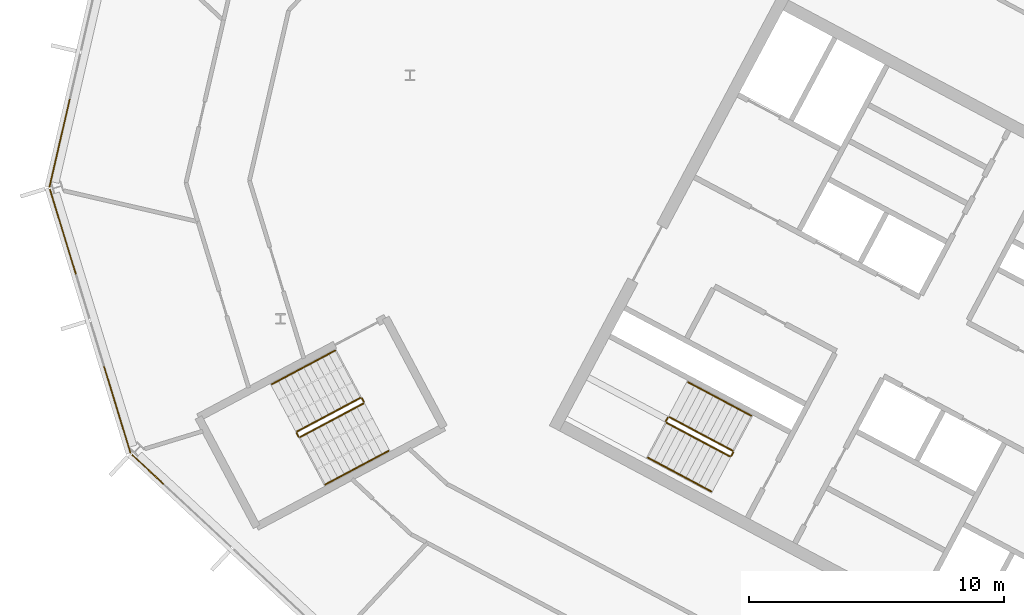
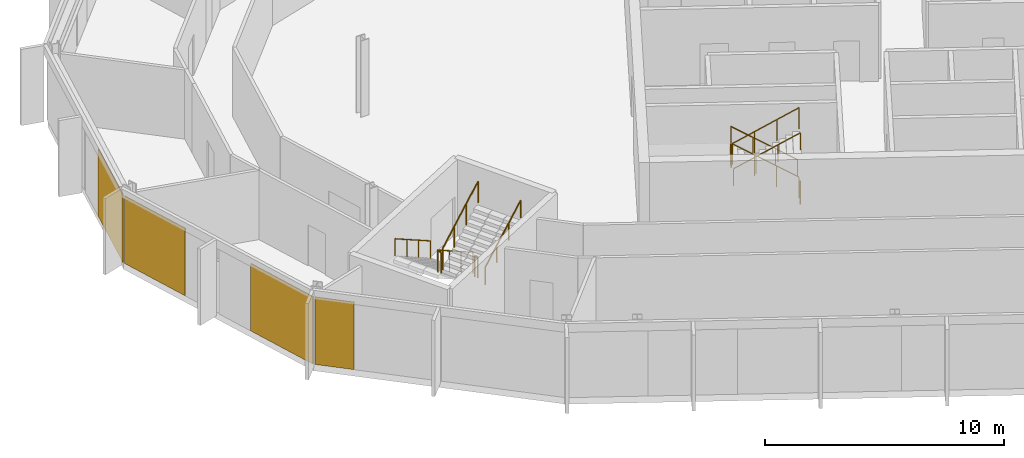
# One storey, part 21 of 26: 12 railings, 4 coverings, 3 elements without a shape of their own.
"""IFC4 building model written with IfcOpenShell, lengths in metres."""

from ifc_helpers import new_model, si_unit, direction, frame, origin, origin_2d, place, context, subcontext, project, spatial, polyline, rectangle, outline, extrude, material, layer, layer_set, type_object, element, aggregate, save


model = new_model("IFC4")

# Units and contexts
model_context = context("Model", 3, precision=1e-05, world=origin(), true_north=direction((0.0, 1.0)))
body_context = subcontext(model_context, "Body", "Model", "MODEL_VIEW")
ifc_project = project(units=[si_unit("LENGTHUNIT", "METRE"), si_unit("AREAUNIT", "SQUARE_METRE"), si_unit("VOLUMEUNIT", "CUBIC_METRE"), si_unit("PLANEANGLEUNIT", "RADIAN"), si_unit("MASSUNIT", "GRAM", prefix="KILO")], contexts=[model_context])

# Site, building, storey
site_placement = place(None, origin())
site = spatial("IfcSite", under=ifc_project, at=site_placement, CompositionType="ELEMENT")
building_placement = place(site_placement, origin())
building = spatial("IfcBuilding", under=site, at=building_placement, Name="Cormorant Relay Tower", CompositionType="ELEMENT")
storey_placement = place(building_placement, frame((0.0, 0.0, 312.60009765625)))
storey = spatial("IfcBuildingStorey", under=building, at=storey_placement, Name="L71", CompositionType="ELEMENT", Elevation=312.60009765625)

# Curtain wall, covering
ifc_material_1 = material(Name="Aluminium 6063-T6 anodised bronze", Category="aluminium")
ifc_layer_1 = layer(ifc_material_1, 0.199951171875)
ifc_layer_set_1 = layer_set([ifc_layer_1], Name="CW1 unitised bronze curtain wall with vertical fins")
curtain_wall_type = type_object("IfcCurtainWallType", Name="CW1 unitised bronze curtain wall with vertical fins", PredefinedType="NOTDEFINED", material=ifc_layer_set_1)
curtain_wall_1_placement = place(storey_placement, origin())
curtain_wall_1 = element("IfcCurtainWall", 1, at=curtain_wall_1_placement, inside=storey, type_object=curtain_wall_type, Name="CW1 curtain wall 13", PredefinedType="NOTDEFINED")
ifc_material_2 = material(Name="Pale bronze anodised aluminium insulated panel", Category="aluminium")
ifc_layer_2 = layer(ifc_material_2, 0.0400390625)
ifc_layer_set_2 = layer_set([ifc_layer_2], Name="CW1 pale bronze insulated panel 40")
covering_type = type_object("IfcCoveringType", Name="CW1 pale bronze insulated panel 40", PredefinedType="CLADDING", material=ifc_layer_set_2)
covering_1_placement = place(storey_placement, frame((-60.3388671875, 22.13232421875, 0.0), z_axis=(0.0, 0.0, 1.0), x_axis=(-0.224951054344, -0.974370064785, 0.0)))
covering_1 = element("IfcCovering", 2, at=covering_1_placement, type_object=covering_type, Name="CW1 panel S02", PredefinedType="CLADDING", context=body_context, shape_type="SweptSolid", body=[
    extrude(rectangle(XDim=3.560302734375, YDim=0.0400390625, at=origin_2d()), origin(), (0.0, 0.0, 1.0), 3.449951171875),
])
aggregate(curtain_wall_1, [covering_1])

# Curtain wall, coverings
curtain_wall_2_placement = place(storey_placement, origin())
curtain_wall_2 = element("IfcCurtainWall", 3, at=curtain_wall_2_placement, inside=storey, type_object=curtain_wall_type, Name="CW1 curtain wall 14", PredefinedType="NOTDEFINED")
covering_2_placement = place(storey_placement, frame((-60.20751953125, 18.6494140625, 0.0), z_axis=(0.0, 0.0, 1.0), x_axis=(0.292371704723, -0.956304755963, 0.0)))
covering_2 = element("IfcCovering", 4, at=covering_2_placement, type_object=covering_type, Name="CW1 panel S00", PredefinedType="CLADDING", context=body_context, shape_type="SweptSolid", body=[
    extrude(rectangle(XDim=3.485107421875, YDim=0.0400390625, at=origin_2d()), origin(), (0.0, 0.0, 1.0), 3.449951171875),
])
covering_3_placement = place(storey_placement, frame((-58.081298828125, 11.6943359375, 0.0), z_axis=(0.0, 0.0, 1.0), x_axis=(0.292371704723, -0.956304755963, 0.0)))
covering_3 = element("IfcCovering", 5, at=covering_3_placement, type_object=covering_type, Name="CW1 panel S03", PredefinedType="CLADDING", context=body_context, shape_type="SweptSolid", body=[
    extrude(rectangle(XDim=3.560302734375, YDim=0.0400390625, at=origin_2d()), origin(), (0.0, 0.0, 1.0), 3.449951171875),
])
aggregate(curtain_wall_2, [covering_2, covering_3])

# Curtain wall, covering
curtain_wall_3_placement = place(storey_placement, origin())
curtain_wall_3 = element("IfcCurtainWall", 6, at=curtain_wall_3_placement, inside=storey, type_object=curtain_wall_type, Name="CW1 curtain wall 15", PredefinedType="NOTDEFINED")
covering_4_placement = place(storey_placement, frame((-56.88427734375, 9.357421875, 0.0), z_axis=(0.0, 0.0, 1.0), x_axis=(0.731353701619, -0.681998360062, 0.0)))
covering_4 = element("IfcCovering", 7, at=covering_4_placement, type_object=covering_type, Name="CW1 panel S00", PredefinedType="CLADDING", context=body_context, shape_type="SweptSolid", body=[
    extrude(rectangle(XDim=1.685302734375, YDim=0.0400390625, at=origin_2d()), origin(), (0.0, 0.0, 1.0), 3.449951171875),
])
aggregate(curtain_wall_3, [covering_4])

# Railings
ifc_material_3 = material(Name="Steel ASTM A572 Grade 50 (Fy 345 MPa)", Category="steel")
railing_type_1 = type_object("IfcRailingType", Name="Stair guard 1100", PredefinedType="GUARDRAIL", material=ifc_material_3)
railing_1_placement = place(storey_placement, frame((-33.9921875, 10.08935546875, 0.17724609375)))
element("IfcRailing", 8, at=railing_1_placement, inside=storey, type_object=railing_type_1, Name="L71 A2 stair guard 1", PredefinedType="GUARDRAIL", context=body_context, shape_type="SweptSolid", body=[
    extrude(outline(polyline([(0.022216796875, 0.00927734375), (0.00927734375, 0.022216796875), (-0.00927734375, 0.022216796875), (-0.022216796875, 0.00927734375), (-0.022216796875, -0.00927734375), (-0.00927734375, -0.022216796875), (0.00927734375, -0.022216796875), (0.022216796875, -0.00927734375), (0.022216796875, 0.00927734375)])), frame((0.0, 0.0, 1.076171875), z_axis=(-0.746001213114, 0.396649272309, 0.534931345884), x_axis=(-0.469465464807, -0.882950835185, 0.0)), (0.0, 0.0, 1.0), 3.31396484375),
    extrude(outline(polyline([(0.019287109375, 0.008056640625), (0.008056640625, 0.019287109375), (-0.008056640625, 0.019287109375), (-0.019287109375, 0.008056640625), (-0.019287109375, -0.008056640625), (-0.008056640625, -0.019287109375), (0.008056640625, -0.019287109375), (0.019287109375, -0.008056640625), (0.019287109375, 0.008056640625)])), origin(), (0.0, 0.0, 1.0), 1.052001953125),
    extrude(outline(polyline([(0.019287109375, 0.008056640625), (0.008056640625, 0.019287109375), (-0.008056640625, 0.019287109375), (-0.019287109375, 0.008056640625), (-0.019287109375, -0.008056640625), (-0.008056640625, -0.019287109375), (0.008056640625, -0.019287109375), (0.019287109375, -0.008056640625), (0.019287109375, 0.008056640625)])), frame((-0.823974609375, 0.438232421875, 0.5908203125)), (0.0, 0.0, 1.0), 1.052001953125),
    extrude(outline(polyline([(0.019287109375, 0.008056640625), (0.008056640625, 0.019287109375), (-0.008056640625, 0.019287109375), (-0.019287109375, 0.008056640625), (-0.019287109375, -0.008056640625), (-0.008056640625, -0.019287109375), (0.008056640625, -0.019287109375), (0.019287109375, -0.008056640625), (0.019287109375, 0.008056640625)])), frame((-1.648193359375, 0.876220703125, 1.181884765625)), (0.0, 0.0, 1.0), 1.052001953125),
    extrude(outline(polyline([(0.019287109375, 0.008056640625), (0.008056640625, 0.019287109375), (-0.008056640625, 0.019287109375), (-0.019287109375, 0.008056640625), (-0.019287109375, -0.008056640625), (-0.008056640625, -0.019287109375), (0.008056640625, -0.019287109375), (0.019287109375, -0.008056640625), (0.019287109375, 0.008056640625)])), frame((-2.47216796875, 1.314453125, 1.772705078125)), (0.0, 0.0, 1.0), 1.052001953125),
])
railing_2_placement = place(storey_placement, frame((-36.531982421875, 11.38330078125, 1.949951171875)))
element("IfcRailing", 9, at=railing_2_placement, inside=storey, type_object=railing_type_1, Name="L71 A2 stair guard 2", PredefinedType="GUARDRAIL", context=body_context, shape_type="SweptSolid", body=[
    extrude(outline(polyline([(0.022216796875, 0.00927734375), (0.00927734375, 0.022216796875), (-0.00927734375, 0.022216796875), (-0.022216796875, 0.00927734375), (-0.022216796875, -0.00927734375), (-0.00927734375, -0.022216796875), (0.00927734375, -0.022216796875), (0.022216796875, -0.00927734375), (0.022216796875, 0.00927734375)])), frame((0.0, 0.0, 1.076171875), z_axis=(-0.469828648786, -0.882757634224, 0.0), x_axis=(0.882757634224, -0.469828648786, 0.0)), (0.0, 0.0, 1.0), 0.150146484375),
    extrude(outline(polyline([(0.019287109375, 0.008056640625), (0.008056640625, 0.019287109375), (-0.008056640625, 0.019287109375), (-0.019287109375, 0.008056640625), (-0.019287109375, -0.008056640625), (-0.008056640625, -0.019287109375), (0.008056640625, -0.019287109375), (0.019287109375, -0.008056640625), (0.019287109375, 0.008056640625)])), origin(), (0.0, 0.0, 1.0), 1.052001953125),
    extrude(outline(polyline([(0.019287109375, 0.008056640625), (0.008056640625, 0.019287109375), (-0.008056640625, 0.019287109375), (-0.019287109375, 0.008056640625), (-0.019287109375, -0.008056640625), (-0.008056640625, -0.019287109375), (0.008056640625, -0.019287109375), (0.019287109375, -0.008056640625), (0.019287109375, 0.008056640625)])), frame((-0.070556640625, -0.132568359375, 0.0)), (0.0, 0.0, 1.0), 1.052001953125),
])
railing_3_placement = place(storey_placement, frame((-36.581787109375, 11.18310546875, 2.127197265625)))
element("IfcRailing", 10, at=railing_3_placement, inside=storey, type_object=railing_type_1, Name="L71 A2 stair guard 3", PredefinedType="GUARDRAIL", context=body_context, shape_type="SweptSolid", body=[
    extrude(outline(polyline([(0.022216796875, 0.00927734375), (0.00927734375, 0.022216796875), (-0.00927734375, 0.022216796875), (-0.022216796875, 0.00927734375), (-0.022216796875, -0.00927734375), (-0.00927734375, -0.022216796875), (0.00927734375, -0.022216796875), (0.022216796875, -0.00927734375), (0.022216796875, 0.00927734375)])), frame((0.0, 0.0, 1.076171875), z_axis=(0.746001213114, -0.396649272309, 0.534931345884), x_axis=(0.469465464807, 0.882950835185, 0.0)), (0.0, 0.0, 1.0), 3.31396484375),
    extrude(outline(polyline([(0.019287109375, 0.008056640625), (0.008056640625, 0.019287109375), (-0.008056640625, 0.019287109375), (-0.019287109375, 0.008056640625), (-0.019287109375, -0.008056640625), (-0.008056640625, -0.019287109375), (0.008056640625, -0.019287109375), (0.019287109375, -0.008056640625), (0.019287109375, 0.008056640625)])), origin(), (0.0, 0.0, 1.0), 1.052001953125),
    extrude(outline(polyline([(0.019287109375, 0.008056640625), (0.008056640625, 0.019287109375), (-0.008056640625, 0.019287109375), (-0.019287109375, 0.008056640625), (-0.019287109375, -0.008056640625), (-0.008056640625, -0.019287109375), (0.008056640625, -0.019287109375), (0.019287109375, -0.008056640625), (0.019287109375, 0.008056640625)])), frame((0.823974609375, -0.438232421875, 0.5908203125)), (0.0, 0.0, 1.0), 1.052001953125),
    extrude(outline(polyline([(0.019287109375, 0.008056640625), (0.008056640625, 0.019287109375), (-0.008056640625, 0.019287109375), (-0.019287109375, 0.008056640625), (-0.019287109375, -0.008056640625), (-0.008056640625, -0.019287109375), (0.008056640625, -0.019287109375), (0.019287109375, -0.008056640625), (0.019287109375, 0.008056640625)])), frame((1.648193359375, -0.876220703125, 1.181884765625)), (0.0, 0.0, 1.0), 1.052001953125),
    extrude(outline(polyline([(0.019287109375, 0.008056640625), (0.008056640625, 0.019287109375), (-0.008056640625, 0.019287109375), (-0.019287109375, 0.008056640625), (-0.019287109375, -0.008056640625), (-0.008056640625, -0.019287109375), (0.008056640625, -0.019287109375), (0.019287109375, -0.008056640625), (0.019287109375, 0.008056640625)])), frame((2.47216796875, -1.314453125, 1.772705078125)), (0.0, 0.0, 1.0), 1.052001953125),
])
railing_4_placement = place(storey_placement, frame((-33.971435546875, 10.021728515625, 0.0)))
element("IfcRailing", 11, at=railing_4_placement, inside=storey, type_object=railing_type_1, Name="L71 A2 stair guard 4", PredefinedType="GUARDRAIL", context=body_context, shape_type="SweptSolid", body=[
    extrude(outline(polyline([(0.022216796875, 0.00927734375), (0.00927734375, 0.022216796875), (-0.00927734375, 0.022216796875), (-0.022216796875, 0.00927734375), (-0.022216796875, -0.00927734375), (-0.00927734375, -0.022216796875), (0.00927734375, -0.022216796875), (0.022216796875, -0.00927734375), (0.022216796875, 0.00927734375)])), frame((0.0, 0.0, 1.076171875), z_axis=(-0.470503732759, -0.882398003998, 0.0), x_axis=(0.882398003998, -0.470503732759, 0.0)), (0.0, 0.0, 1.0), 0.14990234375),
    extrude(outline(polyline([(0.019287109375, 0.008056640625), (0.008056640625, 0.019287109375), (-0.008056640625, 0.019287109375), (-0.019287109375, 0.008056640625), (-0.019287109375, -0.008056640625), (-0.008056640625, -0.019287109375), (0.008056640625, -0.019287109375), (0.019287109375, -0.008056640625), (0.019287109375, 0.008056640625)])), origin(), (0.0, 0.0, 1.0), 1.052001953125),
    extrude(outline(polyline([(0.019287109375, 0.008056640625), (0.008056640625, 0.019287109375), (-0.008056640625, 0.019287109375), (-0.019287109375, 0.008056640625), (-0.019287109375, -0.008056640625), (-0.008056640625, -0.019287109375), (0.008056640625, -0.019287109375), (0.019287109375, -0.008056640625), (0.019287109375, 0.008056640625)])), frame((-0.070556640625, -0.13232421875, 0.0)), (0.0, 0.0, 1.0), 1.052001953125),
])
railing_5_placement = place(storey_placement, frame((-48.5693359375, 12.155517578125, 0.17724609375)))
element("IfcRailing", 12, at=railing_5_placement, inside=storey, type_object=railing_type_1, Name="L71 RP1 stair guard 1", PredefinedType="GUARDRAIL", context=body_context, shape_type="SweptSolid", body=[
    extrude(outline(polyline([(0.022216796875, 0.00927734375), (0.00927734375, 0.022216796875), (-0.00927734375, 0.022216796875), (-0.022216796875, 0.00927734375), (-0.022216796875, -0.00927734375), (-0.00927734375, -0.022216796875), (0.00927734375, -0.022216796875), (0.022216796875, -0.00927734375), (0.022216796875, 0.00927734375)])), frame((0.0, 0.0, 1.076171875), z_axis=(-0.746012083385, -0.396689549623, 0.534886317514), x_axis=(0.469497295046, -0.882933910293, 0.0)), (0.0, 0.0, 1.0), 3.314208984375),
    extrude(outline(polyline([(0.019287109375, 0.008056640625), (0.008056640625, 0.019287109375), (-0.008056640625, 0.019287109375), (-0.019287109375, 0.008056640625), (-0.019287109375, -0.008056640625), (-0.008056640625, -0.019287109375), (0.008056640625, -0.019287109375), (0.019287109375, -0.008056640625), (0.019287109375, 0.008056640625)])), origin(), (0.0, 0.0, 1.0), 1.052001953125),
    extrude(outline(polyline([(0.019287109375, 0.008056640625), (0.008056640625, 0.019287109375), (-0.008056640625, 0.019287109375), (-0.019287109375, 0.008056640625), (-0.019287109375, -0.008056640625), (-0.008056640625, -0.019287109375), (0.008056640625, -0.019287109375), (0.019287109375, -0.008056640625), (0.019287109375, 0.008056640625)])), frame((-0.82421875, -0.438232421875, 0.5908203125)), (0.0, 0.0, 1.0), 1.052001953125),
    extrude(outline(polyline([(0.019287109375, 0.008056640625), (0.008056640625, 0.019287109375), (-0.008056640625, 0.019287109375), (-0.019287109375, 0.008056640625), (-0.019287109375, -0.008056640625), (-0.008056640625, -0.019287109375), (0.008056640625, -0.019287109375), (0.019287109375, -0.008056640625), (0.019287109375, 0.008056640625)])), frame((-1.648193359375, -0.87646484375, 1.181884765625)), (0.0, 0.0, 1.0), 1.052001953125),
    extrude(outline(polyline([(0.019287109375, 0.008056640625), (0.008056640625, 0.019287109375), (-0.008056640625, 0.019287109375), (-0.019287109375, 0.008056640625), (-0.019287109375, -0.008056640625), (-0.008056640625, -0.019287109375), (0.008056640625, -0.019287109375), (0.019287109375, -0.008056640625), (0.019287109375, 0.008056640625)])), frame((-2.472412109375, -1.314697265625, 1.772705078125)), (0.0, 0.0, 1.0), 1.052001953125),
])
railing_6_placement = place(storey_placement, frame((-51.062255859375, 10.773193359375, 1.949951171875)))
element("IfcRailing", 13, at=railing_6_placement, inside=storey, type_object=railing_type_1, Name="L71 RP1 stair guard 2", PredefinedType="GUARDRAIL", context=body_context, shape_type="SweptSolid", body=[
    extrude(outline(polyline([(0.022216796875, 0.00927734375), (0.00927734375, 0.022216796875), (-0.00927734375, 0.022216796875), (-0.022216796875, 0.00927734375), (-0.022216796875, -0.00927734375), (-0.00927734375, -0.022216796875), (0.00927734375, -0.022216796875), (0.022216796875, -0.00927734375), (0.022216796875, 0.00927734375)])), frame((0.0, 0.0, 1.076171875), z_axis=(0.469234640946, -0.883073525669, 0.0), x_axis=(0.883073525669, 0.469234640946, 0.0)), (0.0, 0.0, 1.0), 0.14990234375),
    extrude(outline(polyline([(0.019287109375, 0.008056640625), (0.008056640625, 0.019287109375), (-0.008056640625, 0.019287109375), (-0.019287109375, 0.008056640625), (-0.019287109375, -0.008056640625), (-0.008056640625, -0.019287109375), (0.008056640625, -0.019287109375), (0.019287109375, -0.008056640625), (0.019287109375, 0.008056640625)])), origin(), (0.0, 0.0, 1.0), 1.052001953125),
    extrude(outline(polyline([(0.019287109375, 0.008056640625), (0.008056640625, 0.019287109375), (-0.008056640625, 0.019287109375), (-0.019287109375, 0.008056640625), (-0.019287109375, -0.008056640625), (-0.008056640625, -0.019287109375), (0.008056640625, -0.019287109375), (0.019287109375, -0.008056640625), (0.019287109375, 0.008056640625)])), frame((0.0703125, -0.13232421875, 0.0)), (0.0, 0.0, 1.0), 1.052001953125),
])
railing_7_placement = place(storey_placement, frame((-50.92431640625, 10.6201171875, 2.127197265625)))
element("IfcRailing", 14, at=railing_7_placement, inside=storey, type_object=railing_type_1, Name="L71 RP1 stair guard 3", PredefinedType="GUARDRAIL", context=body_context, shape_type="SweptSolid", body=[
    extrude(outline(polyline([(0.022216796875, 0.00927734375), (0.00927734375, 0.022216796875), (-0.00927734375, 0.022216796875), (-0.022216796875, 0.00927734375), (-0.022216796875, -0.00927734375), (-0.00927734375, -0.022216796875), (0.00927734375, -0.022216796875), (0.022216796875, -0.00927734375), (0.022216796875, 0.00927734375)])), frame((0.0, 0.0, 1.076171875), z_axis=(0.746033882577, 0.396627473466, 0.534901947407), x_axis=(-0.469429322983, 0.882970050864, 0.0)), (0.0, 0.0, 1.0), 3.31396484375),
    extrude(outline(polyline([(0.019287109375, 0.008056640625), (0.008056640625, 0.019287109375), (-0.008056640625, 0.019287109375), (-0.019287109375, 0.008056640625), (-0.019287109375, -0.008056640625), (-0.008056640625, -0.019287109375), (0.008056640625, -0.019287109375), (0.019287109375, -0.008056640625), (0.019287109375, 0.008056640625)])), origin(), (0.0, 0.0, 1.0), 1.052001953125),
    extrude(outline(polyline([(0.019287109375, 0.008056640625), (0.008056640625, 0.019287109375), (-0.008056640625, 0.019287109375), (-0.019287109375, 0.008056640625), (-0.019287109375, -0.008056640625), (-0.008056640625, -0.019287109375), (0.008056640625, -0.019287109375), (0.019287109375, -0.008056640625), (0.019287109375, 0.008056640625)])), frame((0.82421875, 0.438232421875, 0.5908203125)), (0.0, 0.0, 1.0), 1.052001953125),
    extrude(outline(polyline([(0.019287109375, 0.008056640625), (0.008056640625, 0.019287109375), (-0.008056640625, 0.019287109375), (-0.019287109375, 0.008056640625), (-0.019287109375, -0.008056640625), (-0.008056640625, -0.019287109375), (0.008056640625, -0.019287109375), (0.019287109375, -0.008056640625), (0.019287109375, 0.008056640625)])), frame((1.648193359375, 0.876220703125, 1.181884765625)), (0.0, 0.0, 1.0), 1.052001953125),
    extrude(outline(polyline([(0.019287109375, 0.008056640625), (0.008056640625, 0.019287109375), (-0.008056640625, 0.019287109375), (-0.019287109375, 0.008056640625), (-0.019287109375, -0.008056640625), (-0.008056640625, -0.019287109375), (0.008056640625, -0.019287109375), (0.019287109375, -0.008056640625), (0.019287109375, 0.008056640625)])), frame((2.472412109375, 1.314453125, 1.772705078125)), (0.0, 0.0, 1.0), 1.052001953125),
])
railing_8_placement = place(storey_placement, frame((-48.501708984375, 12.134765625, 0.0)))
element("IfcRailing", 15, at=railing_8_placement, inside=storey, type_object=railing_type_1, Name="L71 RP1 stair guard 4", PredefinedType="GUARDRAIL", context=body_context, shape_type="SweptSolid", body=[
    extrude(outline(polyline([(0.022216796875, 0.00927734375), (0.00927734375, 0.022216796875), (-0.00927734375, 0.022216796875), (-0.022216796875, 0.00927734375), (-0.022216796875, -0.00927734375), (-0.00927734375, -0.022216796875), (0.00927734375, -0.022216796875), (0.022216796875, -0.00927734375), (0.022216796875, 0.00927734375)])), frame((0.0, 0.0, 1.076171875), z_axis=(0.46856034887, -0.8834314911, 0.0), x_axis=(0.8834314911, 0.46856034887, 0.0)), (0.0, 0.0, 1.0), 0.150146484375),
    extrude(outline(polyline([(0.019287109375, 0.008056640625), (0.008056640625, 0.019287109375), (-0.008056640625, 0.019287109375), (-0.019287109375, 0.008056640625), (-0.019287109375, -0.008056640625), (-0.008056640625, -0.019287109375), (0.008056640625, -0.019287109375), (0.019287109375, -0.008056640625), (0.019287109375, 0.008056640625)])), origin(), (0.0, 0.0, 1.0), 1.052001953125),
    extrude(outline(polyline([(0.019287109375, 0.008056640625), (0.008056640625, 0.019287109375), (-0.008056640625, 0.019287109375), (-0.019287109375, 0.008056640625), (-0.019287109375, -0.008056640625), (-0.008056640625, -0.019287109375), (0.008056640625, -0.019287109375), (0.019287109375, -0.008056640625), (0.019287109375, 0.008056640625)])), frame((0.0703125, -0.132568359375, 0.0)), (0.0, 0.0, 1.0), 1.052001953125),
])
ifc_material_4 = material(Name="Steel ASTM A572 Grade 50 (Fy 345 MPa)", Category="steel")
railing_type_2 = type_object("IfcRailingType", Name="Stair handrail 900", PredefinedType="HANDRAIL", material=ifc_material_4)
railing_9_placement = place(storey_placement, frame((-33.264404296875, 11.4580078125, 0.17724609375)))
element("IfcRailing", 16, at=railing_9_placement, inside=storey, type_object=railing_type_2, Name="L71 A2 stair handrail 1", PredefinedType="HANDRAIL", context=body_context, shape_type="SweptSolid", body=[
    extrude(outline(polyline([(0.022216796875, 0.00927734375), (0.00927734375, 0.022216796875), (-0.00927734375, 0.022216796875), (-0.022216796875, 0.00927734375), (-0.022216796875, -0.00927734375), (-0.00927734375, -0.022216796875), (0.00927734375, -0.022216796875), (0.022216796875, -0.00927734375), (0.022216796875, 0.00927734375)])), frame((0.0, 0.0, 0.8759765625), z_axis=(-0.746033882577, 0.396627473466, 0.534901947407), x_axis=(-0.469429322983, -0.882970050864, 0.0)), (0.0, 0.0, 1.0), 3.31396484375),
    extrude(outline(polyline([(0.019287109375, 0.008056640625), (0.008056640625, 0.019287109375), (-0.008056640625, 0.019287109375), (-0.019287109375, 0.008056640625), (-0.019287109375, -0.008056640625), (-0.008056640625, -0.019287109375), (0.008056640625, -0.019287109375), (0.019287109375, -0.008056640625), (0.019287109375, 0.008056640625)])), origin(), (0.0, 0.0, 1.0), 0.851806640625),
    extrude(outline(polyline([(0.019287109375, 0.008056640625), (0.008056640625, 0.019287109375), (-0.008056640625, 0.019287109375), (-0.019287109375, 0.008056640625), (-0.019287109375, -0.008056640625), (-0.008056640625, -0.019287109375), (0.008056640625, -0.019287109375), (0.019287109375, -0.008056640625), (0.019287109375, 0.008056640625)])), frame((-0.82421875, 0.438232421875, 0.5908203125)), (0.0, 0.0, 1.0), 0.851806640625),
    extrude(outline(polyline([(0.019287109375, 0.008056640625), (0.008056640625, 0.019287109375), (-0.008056640625, 0.019287109375), (-0.019287109375, 0.008056640625), (-0.019287109375, -0.008056640625), (-0.008056640625, -0.019287109375), (0.008056640625, -0.019287109375), (0.019287109375, -0.008056640625), (0.019287109375, 0.008056640625)])), frame((-1.648193359375, 0.876220703125, 1.181884765625)), (0.0, 0.0, 1.0), 0.851806640625),
    extrude(outline(polyline([(0.019287109375, 0.008056640625), (0.008056640625, 0.019287109375), (-0.008056640625, 0.019287109375), (-0.019287109375, 0.008056640625), (-0.019287109375, -0.008056640625), (-0.008056640625, -0.019287109375), (0.008056640625, -0.019287109375), (0.019287109375, -0.008056640625), (0.019287109375, 0.008056640625)])), frame((-2.472412109375, 1.314453125, 1.772705078125)), (0.0, 0.0, 1.0), 0.851806640625),
])
railing_10_placement = place(storey_placement, frame((-37.3095703125, 9.814453125, 2.127197265625)))
element("IfcRailing", 17, at=railing_10_placement, inside=storey, type_object=railing_type_2, Name="L71 A2 stair handrail 2", PredefinedType="HANDRAIL", context=body_context, shape_type="SweptSolid", body=[
    extrude(outline(polyline([(0.022216796875, 0.00927734375), (0.00927734375, 0.022216796875), (-0.00927734375, 0.022216796875), (-0.022216796875, 0.00927734375), (-0.022216796875, -0.00927734375), (-0.00927734375, -0.022216796875), (0.00927734375, -0.022216796875), (0.022216796875, -0.00927734375), (0.022216796875, 0.00927734375)])), frame((0.0, 0.0, 0.8759765625), z_axis=(0.746033882577, -0.396627473466, 0.534901947407), x_axis=(0.469429322983, 0.882970050864, 0.0)), (0.0, 0.0, 1.0), 3.31396484375),
    extrude(outline(polyline([(0.019287109375, 0.008056640625), (0.008056640625, 0.019287109375), (-0.008056640625, 0.019287109375), (-0.019287109375, 0.008056640625), (-0.019287109375, -0.008056640625), (-0.008056640625, -0.019287109375), (0.008056640625, -0.019287109375), (0.019287109375, -0.008056640625), (0.019287109375, 0.008056640625)])), origin(), (0.0, 0.0, 1.0), 0.851806640625),
    extrude(outline(polyline([(0.019287109375, 0.008056640625), (0.008056640625, 0.019287109375), (-0.008056640625, 0.019287109375), (-0.019287109375, 0.008056640625), (-0.019287109375, -0.008056640625), (-0.008056640625, -0.019287109375), (0.008056640625, -0.019287109375), (0.019287109375, -0.008056640625), (0.019287109375, 0.008056640625)])), frame((0.82421875, -0.438232421875, 0.5908203125)), (0.0, 0.0, 1.0), 0.851806640625),
    extrude(outline(polyline([(0.019287109375, 0.008056640625), (0.008056640625, 0.019287109375), (-0.008056640625, 0.019287109375), (-0.019287109375, 0.008056640625), (-0.019287109375, -0.008056640625), (-0.008056640625, -0.019287109375), (0.008056640625, -0.019287109375), (0.019287109375, -0.008056640625), (0.019287109375, 0.008056640625)])), frame((1.648193359375, -0.876220703125, 1.181884765625)), (0.0, 0.0, 1.0), 0.851806640625),
    extrude(outline(polyline([(0.019287109375, 0.008056640625), (0.008056640625, 0.019287109375), (-0.008056640625, 0.019287109375), (-0.019287109375, 0.008056640625), (-0.019287109375, -0.008056640625), (-0.008056640625, -0.019287109375), (0.008056640625, -0.019287109375), (0.019287109375, -0.008056640625), (0.019287109375, 0.008056640625)])), frame((2.472412109375, -1.314453125, 1.772705078125)), (0.0, 0.0, 1.0), 0.851806640625),
])
railing_11_placement = place(storey_placement, frame((-49.55517578125, 14.009521484375, 0.17724609375)))
element("IfcRailing", 18, at=railing_11_placement, inside=storey, type_object=railing_type_2, Name="L71 RP1 stair handrail 1", PredefinedType="HANDRAIL", context=body_context, shape_type="SweptSolid", body=[
    extrude(outline(polyline([(0.022216796875, 0.00927734375), (0.00927734375, 0.022216796875), (-0.00927734375, 0.022216796875), (-0.022216796875, 0.00927734375), (-0.022216796875, -0.00927734375), (-0.00927734375, -0.022216796875), (0.00927734375, -0.022216796875), (0.022216796875, -0.00927734375), (0.022216796875, 0.00927734375)])), frame((0.0, 0.0, 0.8759765625), z_axis=(-0.746033882577, -0.396627473466, 0.534901947407), x_axis=(0.469429322983, -0.882970050864, 0.0)), (0.0, 0.0, 1.0), 3.31396484375),
    extrude(outline(polyline([(0.019287109375, 0.008056640625), (0.008056640625, 0.019287109375), (-0.008056640625, 0.019287109375), (-0.019287109375, 0.008056640625), (-0.019287109375, -0.008056640625), (-0.008056640625, -0.019287109375), (0.008056640625, -0.019287109375), (0.019287109375, -0.008056640625), (0.019287109375, 0.008056640625)])), origin(), (0.0, 0.0, 1.0), 0.851806640625),
    extrude(outline(polyline([(0.019287109375, 0.008056640625), (0.008056640625, 0.019287109375), (-0.008056640625, 0.019287109375), (-0.019287109375, 0.008056640625), (-0.019287109375, -0.008056640625), (-0.008056640625, -0.019287109375), (0.008056640625, -0.019287109375), (0.019287109375, -0.008056640625), (0.019287109375, 0.008056640625)])), frame((-0.82421875, -0.438232421875, 0.5908203125)), (0.0, 0.0, 1.0), 0.851806640625),
    extrude(outline(polyline([(0.019287109375, 0.008056640625), (0.008056640625, 0.019287109375), (-0.008056640625, 0.019287109375), (-0.019287109375, 0.008056640625), (-0.019287109375, -0.008056640625), (-0.008056640625, -0.019287109375), (0.008056640625, -0.019287109375), (0.019287109375, -0.008056640625), (0.019287109375, 0.008056640625)])), frame((-1.648193359375, -0.876220703125, 1.181884765625)), (0.0, 0.0, 1.0), 0.851806640625),
    extrude(outline(polyline([(0.019287109375, 0.008056640625), (0.008056640625, 0.019287109375), (-0.008056640625, 0.019287109375), (-0.019287109375, 0.008056640625), (-0.019287109375, -0.008056640625), (-0.008056640625, -0.019287109375), (0.008056640625, -0.019287109375), (0.019287109375, -0.008056640625), (0.019287109375, 0.008056640625)])), frame((-2.472412109375, -1.314453125, 1.772705078125)), (0.0, 0.0, 1.0), 0.851806640625),
])
railing_12_placement = place(storey_placement, frame((-49.9384765625, 8.765869140625, 2.127197265625)))
element("IfcRailing", 19, at=railing_12_placement, inside=storey, type_object=railing_type_2, Name="L71 RP1 stair handrail 2", PredefinedType="HANDRAIL", context=body_context, shape_type="SweptSolid", body=[
    extrude(outline(polyline([(0.022216796875, 0.00927734375), (0.00927734375, 0.022216796875), (-0.00927734375, 0.022216796875), (-0.022216796875, 0.00927734375), (-0.022216796875, -0.00927734375), (-0.00927734375, -0.022216796875), (0.00927734375, -0.022216796875), (0.022216796875, -0.00927734375), (0.022216796875, 0.00927734375)])), frame((0.0, 0.0, 0.8759765625), z_axis=(0.746012083385, 0.396689549623, 0.534886317514), x_axis=(-0.469497295046, 0.882933910293, 0.0)), (0.0, 0.0, 1.0), 3.314208984375),
    extrude(outline(polyline([(0.019287109375, 0.008056640625), (0.008056640625, 0.019287109375), (-0.008056640625, 0.019287109375), (-0.019287109375, 0.008056640625), (-0.019287109375, -0.008056640625), (-0.008056640625, -0.019287109375), (0.008056640625, -0.019287109375), (0.019287109375, -0.008056640625), (0.019287109375, 0.008056640625)])), origin(), (0.0, 0.0, 1.0), 0.851806640625),
    extrude(outline(polyline([(0.019287109375, 0.008056640625), (0.008056640625, 0.019287109375), (-0.008056640625, 0.019287109375), (-0.019287109375, 0.008056640625), (-0.019287109375, -0.008056640625), (-0.008056640625, -0.019287109375), (0.008056640625, -0.019287109375), (0.019287109375, -0.008056640625), (0.019287109375, 0.008056640625)])), frame((0.82421875, 0.438232421875, 0.5908203125)), (0.0, 0.0, 1.0), 0.851806640625),
    extrude(outline(polyline([(0.019287109375, 0.008056640625), (0.008056640625, 0.019287109375), (-0.008056640625, 0.019287109375), (-0.019287109375, 0.008056640625), (-0.019287109375, -0.008056640625), (-0.008056640625, -0.019287109375), (0.008056640625, -0.019287109375), (0.019287109375, -0.008056640625), (0.019287109375, 0.008056640625)])), frame((1.648193359375, 0.87646484375, 1.181884765625)), (0.0, 0.0, 1.0), 0.851806640625),
    extrude(outline(polyline([(0.019287109375, 0.008056640625), (0.008056640625, 0.019287109375), (-0.008056640625, 0.019287109375), (-0.019287109375, 0.008056640625), (-0.019287109375, -0.008056640625), (-0.008056640625, -0.019287109375), (0.008056640625, -0.019287109375), (0.019287109375, -0.008056640625), (0.019287109375, 0.008056640625)])), frame((2.472412109375, 1.314697265625, 1.772705078125)), (0.0, 0.0, 1.0), 0.851806640625),
])

save(model, "model.ifc")
